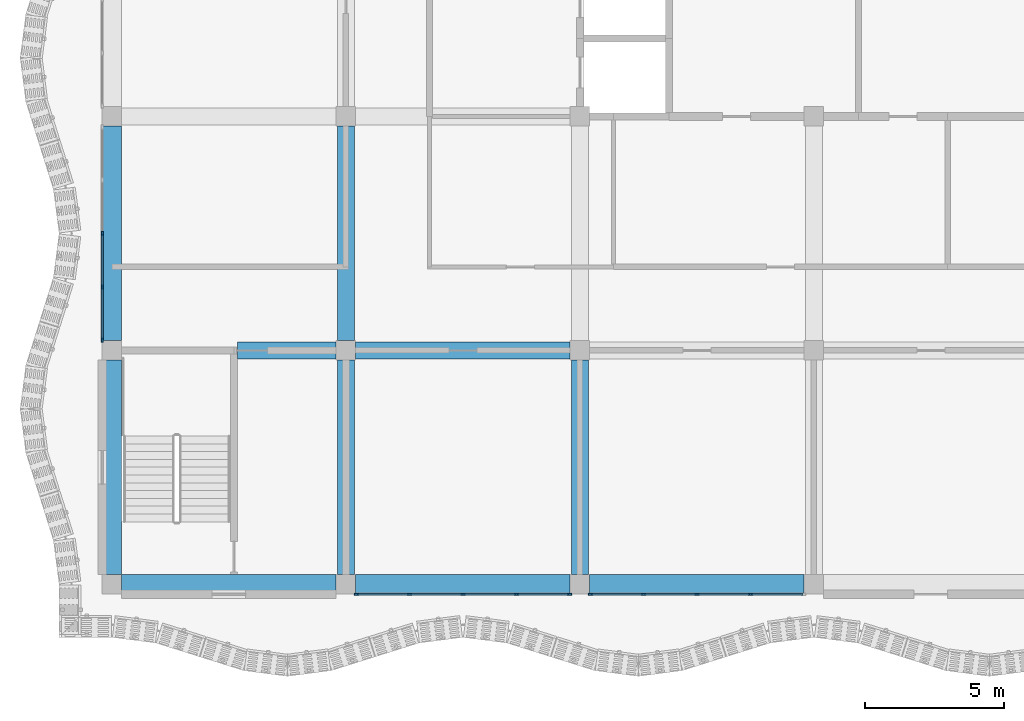
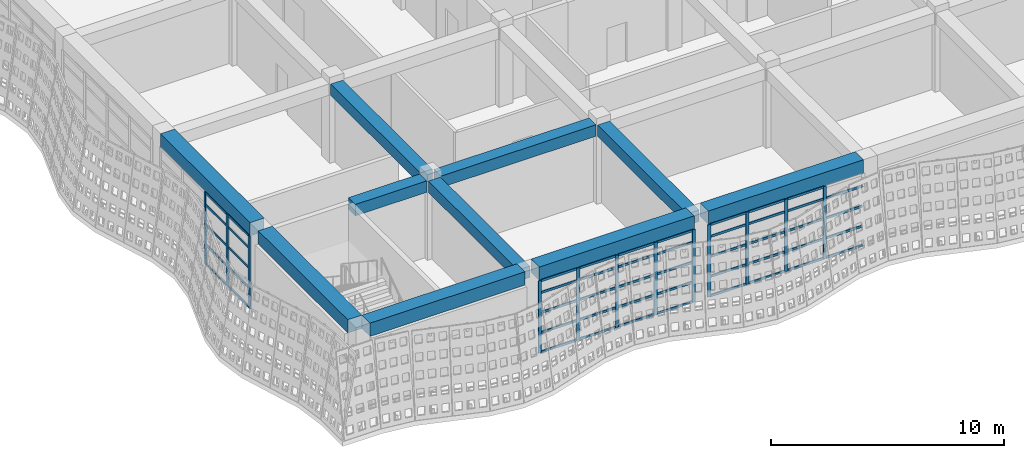
# One storey, part 16 of 162: 61 members, 10 beams, 3 elements without a shape of their own.
"""IFC4 building model written with IfcOpenShell, lengths in metres."""

from ifc_helpers import new_model, si_unit, direction, frame, origin, origin_2d, place, context, subcontext, project, spatial, rectangle, extrude, material, material_profile, profile_set, type_object, element, aggregate, save


model = new_model("IFC4")

# Units and contexts
model_context = context("Model", 3, precision=1e-05, world=origin(), true_north=direction((0.0, 1.0)))
body_context = subcontext(model_context, "Body", "Model", "MODEL_VIEW")
ifc_project = project(units=[si_unit("LENGTHUNIT", "METRE"), si_unit("AREAUNIT", "SQUARE_METRE"), si_unit("VOLUMEUNIT", "CUBIC_METRE"), si_unit("PLANEANGLEUNIT", "RADIAN"), si_unit("MASSUNIT", "GRAM", prefix="KILO")], contexts=[model_context])

# Site, building, storey
site_placement = place(None, origin())
site = spatial("IfcSite", under=ifc_project, at=site_placement, CompositionType="ELEMENT")
building_placement = place(site_placement, origin())
building = spatial("IfcBuilding", under=site, at=building_placement, Name="Rain Tree Exposition and Congress Centre", CompositionType="ELEMENT")
storey_placement = place(building_placement, frame((0.0, 0.0, 6.0)))
storey = spatial("IfcBuildingStorey", under=building, at=storey_placement, Name="L01", CompositionType="ELEMENT", Elevation=6.0)

# Beams
ifc_material_1 = material(Name="Precast concrete C50/60", Category="concrete")
ifc_material_profile_1 = material_profile(ifc_material_1, rectangle(XDim=0.60009765625, YDim=0.60009765625, at=origin_2d()), Name="RC 600x600")
ifc_profile_set_1 = profile_set([ifc_material_profile_1], Name="Precast concrete C50/60")
beam_type_1 = type_object("IfcBeamType", Name="Precast beam 600x600", PredefinedType="BEAM", material=ifc_profile_set_1)
beam_1_placement = place(storey_placement, frame((4.5, 8.39990234375, 3.85009765625), z_axis=(1.0, 0.0, 0.0), x_axis=(0.0, 1.0, 0.0)))
element("IfcBeam", 1, at=beam_1_placement, inside=storey, type_object=beam_type_1, Name="wing/beam/L01/L02/013", PredefinedType="BEAM", context=body_context, shape_type="SweptSolid", body=[
    extrude(rectangle(XDim=0.60009765625, YDim=0.60009765625, at=origin_2d()), origin(), (0.0, 0.0, 1.0), 3.550048828125),
])
for number, where, z_axis, x_axis, name in (
    (2, (8.39990234375, 0.35009765625, 3.85009765625), (0.0, 1.0, 0.0), (-1.0, 0.0, 0.0), "wing/beam/L01/L02/014"),
    (3, (8.75, 8.39990234375, 3.85009765625), (1.0, 0.0, 0.0), (0.0, 1.0, 0.0), "wing/beam/L01/L02/015"),
    (4, (8.39990234375, 8.75, 3.85009765625), (0.0, 1.0, 0.0), (-1.0, 0.0, 0.0), "wing/beam/L01/L02/016"),
    (5, (16.800048828125, 0.35009765625, 3.85009765625), (0.0, 1.0, 0.0), (-1.0, 0.0, 0.0), "wing/beam/L01/L02/026"),
):
    element("IfcBeam", number, at=place(storey_placement, frame(where, z_axis=z_axis, x_axis=x_axis)), inside=storey, type_object=beam_type_1, Name=name, PredefinedType="BEAM", context=body_context, shape_type="SweptSolid", body=[
        extrude(rectangle(XDim=0.60009765625, YDim=0.60009765625, at=origin_2d()), origin(), (0.0, 0.0, 1.0), 7.699951171875),
    ])
ifc_material_2 = material(Name="Precast concrete C50/60", Category="concrete")
ifc_material_profile_2 = material_profile(ifc_material_2, rectangle(XDim=0.699951171875, YDim=0.699951171875, at=origin_2d()), Name="RC 700x700")
ifc_profile_set_2 = profile_set([ifc_material_profile_2], Name="Precast concrete C50/60")
beam_type_2 = type_object("IfcBeamType", Name="Precast spandrel beam 700x700", PredefinedType="SPANDREL", material=ifc_profile_set_2)
for number, where, z_axis, x_axis, name in (
    (6, (0.35009765625, 0.0, 4.14990234375), (1.0, 0.0, 0.0), (0.0, 1.0, 0.0), "wing/beam/L01/L02/001"),
    (7, (0.0, 0.35009765625, 4.14990234375), (0.0, 1.0, 0.0), (-1.0, 0.0, 0.0), "wing/beam/L01/L02/002"),
    (8, (8.75, 0.0, 4.14990234375), (1.0, 0.0, 0.0), (0.0, 1.0, 0.0), "wing/beam/L01/L02/003"),
    (9, (0.0, 8.75, 4.14990234375), (0.0, 1.0, 0.0), (-1.0, 0.0, 0.0), "wing/beam/L01/L02/004"),
):
    element("IfcBeam", number, at=place(storey_placement, frame(where, z_axis=z_axis, x_axis=x_axis)), inside=storey, type_object=beam_type_2, Name=name, PredefinedType="SPANDREL", context=body_context, shape_type="SweptSolid", body=[
        extrude(rectangle(XDim=0.699951171875, YDim=0.699951171875, at=origin_2d()), origin(), (0.0, 0.0, 1.0), 7.699951171875),
    ])
beam_2_placement = place(storey_placement, frame((17.14990234375, 0.0, 4.14990234375), z_axis=(1.0, 0.0, 0.0), x_axis=(0.0, 1.0, 0.0)))
element("IfcBeam", 10, at=beam_2_placement, inside=storey, type_object=beam_type_2, Name="wing/beam/L01/L02/005", PredefinedType="SPANDREL", context=body_context, shape_type="SweptSolid", body=[
    extrude(rectangle(XDim=0.699951171875, YDim=0.699951171875, at=origin_2d()), origin(), (0.0, 0.0, 1.0), 7.7001953125),
])

# Curtain wall, members
ifc_material_3 = material(Name="Aluminium curtain wall", Category="aluminium")
curtain_wall_type = type_object("IfcCurtainWallType", Name="Wing curtain wall 1925", PredefinedType="NOTDEFINED", material=ifc_material_3)
curtain_wall_1_placement = place(storey_placement, origin())
curtain_wall_1 = element("IfcCurtainWall", 11, at=curtain_wall_1_placement, inside=storey, type_object=curtain_wall_type, Name="Curtain wall CWW201", PredefinedType="NOTDEFINED")
ifc_material_4 = material(Name="Aluminium", Category="aluminium")
ifc_material_profile_3 = material_profile(ifc_material_4, rectangle(XDim=0.06005859375, YDim=0.159912109375, at=origin_2d()), Name="Aluminium 60x160")
ifc_profile_set_3 = profile_set([ifc_material_profile_3], Name="Aluminium")
member_type_1 = type_object("IfcMemberType", Name="Wing mullion 60x160", PredefinedType="MULLION", material=ifc_profile_set_3)
member_1_placement = place(storey_placement, frame((8.780029296875, -0.35009765625, 0.0), z_axis=(0.0, 0.0, 1.0), x_axis=(0.0, 1.0, 0.0)))
member_1 = element("IfcMember", 12, at=member_1_placement, type_object=member_type_1, Name="CWW201 mullion 1", PredefinedType="MULLION", context=body_context, shape_type="SweptSolid", body=[
    extrude(rectangle(XDim=0.06005859375, YDim=0.159912109375, at=origin_2d()), origin(), (0.0, 0.0, 1.0), 3.800048828125),
])
member_2_placement = place(storey_placement, frame((10.675048828125, -0.35009765625, 0.0), z_axis=(0.0, 0.0, 1.0), x_axis=(0.0, 1.0, 0.0)))
member_2 = element("IfcMember", 13, at=member_2_placement, type_object=member_type_1, Name="CWW201 mullion 2", PredefinedType="MULLION", context=body_context, shape_type="SweptSolid", body=[
    extrude(rectangle(XDim=0.06005859375, YDim=0.159912109375, at=origin_2d()), origin(), (0.0, 0.0, 1.0), 3.800048828125),
])
member_3_placement = place(storey_placement, frame((12.60009765625, -0.35009765625, 0.0), z_axis=(0.0, 0.0, 1.0), x_axis=(0.0, 1.0, 0.0)))
member_3 = element("IfcMember", 14, at=member_3_placement, type_object=member_type_1, Name="CWW201 mullion 3", PredefinedType="MULLION", context=body_context, shape_type="SweptSolid", body=[
    extrude(rectangle(XDim=0.06005859375, YDim=0.159912109375, at=origin_2d()), origin(), (0.0, 0.0, 1.0), 3.800048828125),
])
member_4_placement = place(storey_placement, frame((14.52490234375, -0.35009765625, 0.0), z_axis=(0.0, 0.0, 1.0), x_axis=(0.0, 1.0, 0.0)))
member_4 = element("IfcMember", 15, at=member_4_placement, type_object=member_type_1, Name="CWW201 mullion 4", PredefinedType="MULLION", context=body_context, shape_type="SweptSolid", body=[
    extrude(rectangle(XDim=0.06005859375, YDim=0.159912109375, at=origin_2d()), origin(), (0.0, 0.0, 1.0), 3.800048828125),
])
member_5_placement = place(storey_placement, frame((16.419921875, -0.35009765625, 0.0), z_axis=(0.0, 0.0, 1.0), x_axis=(0.0, 1.0, 0.0)))
member_5 = element("IfcMember", 16, at=member_5_placement, type_object=member_type_1, Name="CWW201 mullion 5", PredefinedType="MULLION", context=body_context, shape_type="SweptSolid", body=[
    extrude(rectangle(XDim=0.06005859375, YDim=0.159912109375, at=origin_2d()), origin(), (0.0, 0.0, 1.0), 3.800048828125),
])

curtain_wall_2_placement = place(storey_placement, origin())
curtain_wall_2 = element("IfcCurtainWall", 17, at=curtain_wall_2_placement, inside=storey, type_object=curtain_wall_type, Name="Curtain wall CWW202", PredefinedType="NOTDEFINED")
member_6_placement = place(storey_placement, frame((17.179931640625, -0.35009765625, 0.0), z_axis=(0.0, 0.0, 1.0), x_axis=(0.0, 1.0, 0.0)))
member_6 = element("IfcMember", 18, at=member_6_placement, type_object=member_type_1, Name="CWW202 mullion 1", PredefinedType="MULLION", context=body_context, shape_type="SweptSolid", body=[
    extrude(rectangle(XDim=0.06005859375, YDim=0.159912109375, at=origin_2d()), origin(), (0.0, 0.0, 1.0), 3.800048828125),
])
member_7_placement = place(storey_placement, frame((19.074951171875, -0.35009765625, 0.0), z_axis=(0.0, 0.0, 1.0), x_axis=(0.0, 1.0, 0.0)))
member_7 = element("IfcMember", 19, at=member_7_placement, type_object=member_type_1, Name="CWW202 mullion 2", PredefinedType="MULLION", context=body_context, shape_type="SweptSolid", body=[
    extrude(rectangle(XDim=0.06005859375, YDim=0.159912109375, at=origin_2d()), origin(), (0.0, 0.0, 1.0), 3.800048828125),
])
member_8_placement = place(storey_placement, frame((21.0, -0.35009765625, 0.0), z_axis=(0.0, 0.0, 1.0), x_axis=(0.0, 1.0, 0.0)))
member_8 = element("IfcMember", 20, at=member_8_placement, type_object=member_type_1, Name="CWW202 mullion 3", PredefinedType="MULLION", context=body_context, shape_type="SweptSolid", body=[
    extrude(rectangle(XDim=0.06005859375, YDim=0.159912109375, at=origin_2d()), origin(), (0.0, 0.0, 1.0), 3.800048828125),
])
member_9_placement = place(storey_placement, frame((22.925048828125, -0.35009765625, 0.0), z_axis=(0.0, 0.0, 1.0), x_axis=(0.0, 1.0, 0.0)))
member_9 = element("IfcMember", 21, at=member_9_placement, type_object=member_type_1, Name="CWW202 mullion 4", PredefinedType="MULLION", context=body_context, shape_type="SweptSolid", body=[
    extrude(rectangle(XDim=0.06005859375, YDim=0.159912109375, at=origin_2d()), origin(), (0.0, 0.0, 1.0), 3.800048828125),
])

curtain_wall_3_placement = place(storey_placement, origin())
curtain_wall_3 = element("IfcCurtainWall", 22, at=curtain_wall_3_placement, inside=storey, type_object=curtain_wall_type, Name="Curtain wall CWW208", PredefinedType="NOTDEFINED")
member_10_placement = place(storey_placement, frame((-0.35009765625, 8.780029296875, 0.0), z_axis=(0.0, 0.0, 1.0), x_axis=(-1.0, 0.0, 0.0)))
member_10 = element("IfcMember", 23, at=member_10_placement, type_object=member_type_1, Name="CWW208 mullion 1", PredefinedType="MULLION", context=body_context, shape_type="SweptSolid", body=[
    extrude(rectangle(XDim=0.06005859375, YDim=0.159912109375, at=origin_2d()), origin(), (0.0, 0.0, 1.0), 3.800048828125),
])
member_11_placement = place(storey_placement, frame((-0.35009765625, 10.675048828125, 0.0), z_axis=(0.0, 0.0, 1.0), x_axis=(-1.0, 0.0, 0.0)))
member_11 = element("IfcMember", 24, at=member_11_placement, type_object=member_type_1, Name="CWW208 mullion 2", PredefinedType="MULLION", context=body_context, shape_type="SweptSolid", body=[
    extrude(rectangle(XDim=0.06005859375, YDim=0.159912109375, at=origin_2d()), origin(), (0.0, 0.0, 1.0), 3.800048828125),
])
member_12_placement = place(storey_placement, frame((-0.35009765625, 12.60009765625, 0.0), z_axis=(0.0, 0.0, 1.0), x_axis=(-1.0, 0.0, 0.0)))
member_12 = element("IfcMember", 25, at=member_12_placement, type_object=member_type_1, Name="CWW208 mullion 3", PredefinedType="MULLION", context=body_context, shape_type="SweptSolid", body=[
    extrude(rectangle(XDim=0.06005859375, YDim=0.159912109375, at=origin_2d()), origin(), (0.0, 0.0, 1.0), 3.800048828125),
])

# Member
ifc_material_5 = material(Name="Aluminium", Category="aluminium")
ifc_material_profile_4 = material_profile(ifc_material_5, rectangle(XDim=0.06005859375, YDim=0.1201171875, at=origin_2d()), Name="Aluminium 60x120")
ifc_profile_set_4 = profile_set([ifc_material_profile_4], Name="Aluminium")
member_type_2 = type_object("IfcMemberType", Name="Wing transom 60x120", PredefinedType="USERDEFINED", material=ifc_profile_set_4)
member_13_placement = place(storey_placement, frame((8.81005859375, -0.35009765625, 0.030029296875), z_axis=(1.0, 0.0, 0.0), x_axis=(0.0, 1.0, 0.0)))
member_13 = element("IfcMember", 26, at=member_13_placement, type_object=member_type_2, Name="CWW201 transom 1.1", ObjectType="TRANSOM", PredefinedType="USERDEFINED", context=body_context, shape_type="SweptSolid", body=[
    extrude(rectangle(XDim=0.06005859375, YDim=0.1201171875, at=origin_2d()), origin(), (0.0, 0.0, 1.0), 1.8349609375),
])

member_14_placement = place(storey_placement, frame((8.81005859375, -0.35009765625, 1.050048828125), z_axis=(1.0, 0.0, 0.0), x_axis=(0.0, 1.0, 0.0)))
member_14 = element("IfcMember", 27, at=member_14_placement, type_object=member_type_2, Name="CWW201 transom 1.2", ObjectType="TRANSOM", PredefinedType="USERDEFINED", context=body_context, shape_type="SweptSolid", body=[
    extrude(rectangle(XDim=0.06005859375, YDim=0.1201171875, at=origin_2d()), origin(), (0.0, 0.0, 1.0), 1.8349609375),
])

member_15_placement = place(storey_placement, frame((8.81005859375, -0.35009765625, 2.10009765625), z_axis=(1.0, 0.0, 0.0), x_axis=(0.0, 1.0, 0.0)))
member_15 = element("IfcMember", 28, at=member_15_placement, type_object=member_type_2, Name="CWW201 transom 1.3", ObjectType="TRANSOM", PredefinedType="USERDEFINED", context=body_context, shape_type="SweptSolid", body=[
    extrude(rectangle(XDim=0.06005859375, YDim=0.1201171875, at=origin_2d()), origin(), (0.0, 0.0, 1.0), 1.8349609375),
])

member_16_placement = place(storey_placement, frame((8.81005859375, -0.35009765625, 3.14990234375), z_axis=(1.0, 0.0, 0.0), x_axis=(0.0, 1.0, 0.0)))
member_16 = element("IfcMember", 29, at=member_16_placement, type_object=member_type_2, Name="CWW201 transom 1.4", ObjectType="TRANSOM", PredefinedType="USERDEFINED", context=body_context, shape_type="SweptSolid", body=[
    extrude(rectangle(XDim=0.06005859375, YDim=0.1201171875, at=origin_2d()), origin(), (0.0, 0.0, 1.0), 1.8349609375),
])

member_17_placement = place(storey_placement, frame((8.81005859375, -0.35009765625, 3.77001953125), z_axis=(1.0, 0.0, 0.0), x_axis=(0.0, 1.0, 0.0)))
member_17 = element("IfcMember", 30, at=member_17_placement, type_object=member_type_2, Name="CWW201 transom 1.5", ObjectType="TRANSOM", PredefinedType="USERDEFINED", context=body_context, shape_type="SweptSolid", body=[
    extrude(rectangle(XDim=0.06005859375, YDim=0.1201171875, at=origin_2d()), origin(), (0.0, 0.0, 1.0), 1.8349609375),
])

member_18_placement = place(storey_placement, frame((10.705078125, -0.35009765625, 0.030029296875), z_axis=(1.0, 0.0, 0.0), x_axis=(0.0, 1.0, 0.0)))
member_18 = element("IfcMember", 31, at=member_18_placement, type_object=member_type_2, Name="CWW201 transom 2.1", ObjectType="TRANSOM", PredefinedType="USERDEFINED", context=body_context, shape_type="SweptSolid", body=[
    extrude(rectangle(XDim=0.06005859375, YDim=0.1201171875, at=origin_2d()), origin(), (0.0, 0.0, 1.0), 1.864990234375),
])

member_19_placement = place(storey_placement, frame((10.705078125, -0.35009765625, 1.050048828125), z_axis=(1.0, 0.0, 0.0), x_axis=(0.0, 1.0, 0.0)))
member_19 = element("IfcMember", 32, at=member_19_placement, type_object=member_type_2, Name="CWW201 transom 2.2", ObjectType="TRANSOM", PredefinedType="USERDEFINED", context=body_context, shape_type="SweptSolid", body=[
    extrude(rectangle(XDim=0.06005859375, YDim=0.1201171875, at=origin_2d()), origin(), (0.0, 0.0, 1.0), 1.864990234375),
])

member_20_placement = place(storey_placement, frame((10.705078125, -0.35009765625, 2.10009765625), z_axis=(1.0, 0.0, 0.0), x_axis=(0.0, 1.0, 0.0)))
member_20 = element("IfcMember", 33, at=member_20_placement, type_object=member_type_2, Name="CWW201 transom 2.3", ObjectType="TRANSOM", PredefinedType="USERDEFINED", context=body_context, shape_type="SweptSolid", body=[
    extrude(rectangle(XDim=0.06005859375, YDim=0.1201171875, at=origin_2d()), origin(), (0.0, 0.0, 1.0), 1.864990234375),
])

member_21_placement = place(storey_placement, frame((10.705078125, -0.35009765625, 3.14990234375), z_axis=(1.0, 0.0, 0.0), x_axis=(0.0, 1.0, 0.0)))
member_21 = element("IfcMember", 34, at=member_21_placement, type_object=member_type_2, Name="CWW201 transom 2.4", ObjectType="TRANSOM", PredefinedType="USERDEFINED", context=body_context, shape_type="SweptSolid", body=[
    extrude(rectangle(XDim=0.06005859375, YDim=0.1201171875, at=origin_2d()), origin(), (0.0, 0.0, 1.0), 1.864990234375),
])

member_22_placement = place(storey_placement, frame((10.705078125, -0.35009765625, 3.77001953125), z_axis=(1.0, 0.0, 0.0), x_axis=(0.0, 1.0, 0.0)))
member_22 = element("IfcMember", 35, at=member_22_placement, type_object=member_type_2, Name="CWW201 transom 2.5", ObjectType="TRANSOM", PredefinedType="USERDEFINED", context=body_context, shape_type="SweptSolid", body=[
    extrude(rectangle(XDim=0.06005859375, YDim=0.1201171875, at=origin_2d()), origin(), (0.0, 0.0, 1.0), 1.864990234375),
])

member_23_placement = place(storey_placement, frame((12.6298828125, -0.35009765625, 0.030029296875), z_axis=(1.0, 0.0, 0.0), x_axis=(0.0, 1.0, 0.0)))
member_23 = element("IfcMember", 36, at=member_23_placement, type_object=member_type_2, Name="CWW201 transom 3.1", ObjectType="TRANSOM", PredefinedType="USERDEFINED", context=body_context, shape_type="SweptSolid", body=[
    extrude(rectangle(XDim=0.06005859375, YDim=0.1201171875, at=origin_2d()), origin(), (0.0, 0.0, 1.0), 1.865234375),
])

member_24_placement = place(storey_placement, frame((12.6298828125, -0.35009765625, 1.050048828125), z_axis=(1.0, 0.0, 0.0), x_axis=(0.0, 1.0, 0.0)))
member_24 = element("IfcMember", 37, at=member_24_placement, type_object=member_type_2, Name="CWW201 transom 3.2", ObjectType="TRANSOM", PredefinedType="USERDEFINED", context=body_context, shape_type="SweptSolid", body=[
    extrude(rectangle(XDim=0.06005859375, YDim=0.1201171875, at=origin_2d()), origin(), (0.0, 0.0, 1.0), 1.865234375),
])

member_25_placement = place(storey_placement, frame((12.6298828125, -0.35009765625, 2.10009765625), z_axis=(1.0, 0.0, 0.0), x_axis=(0.0, 1.0, 0.0)))
member_25 = element("IfcMember", 38, at=member_25_placement, type_object=member_type_2, Name="CWW201 transom 3.3", ObjectType="TRANSOM", PredefinedType="USERDEFINED", context=body_context, shape_type="SweptSolid", body=[
    extrude(rectangle(XDim=0.06005859375, YDim=0.1201171875, at=origin_2d()), origin(), (0.0, 0.0, 1.0), 1.865234375),
])

member_26_placement = place(storey_placement, frame((12.6298828125, -0.35009765625, 3.14990234375), z_axis=(1.0, 0.0, 0.0), x_axis=(0.0, 1.0, 0.0)))
member_26 = element("IfcMember", 39, at=member_26_placement, type_object=member_type_2, Name="CWW201 transom 3.4", ObjectType="TRANSOM", PredefinedType="USERDEFINED", context=body_context, shape_type="SweptSolid", body=[
    extrude(rectangle(XDim=0.06005859375, YDim=0.1201171875, at=origin_2d()), origin(), (0.0, 0.0, 1.0), 1.865234375),
])

member_27_placement = place(storey_placement, frame((12.6298828125, -0.35009765625, 3.77001953125), z_axis=(1.0, 0.0, 0.0), x_axis=(0.0, 1.0, 0.0)))
member_27 = element("IfcMember", 40, at=member_27_placement, type_object=member_type_2, Name="CWW201 transom 3.5", ObjectType="TRANSOM", PredefinedType="USERDEFINED", context=body_context, shape_type="SweptSolid", body=[
    extrude(rectangle(XDim=0.06005859375, YDim=0.1201171875, at=origin_2d()), origin(), (0.0, 0.0, 1.0), 1.865234375),
])

member_28_placement = place(storey_placement, frame((14.554931640625, -0.35009765625, 0.030029296875), z_axis=(1.0, 0.0, 0.0), x_axis=(0.0, 1.0, 0.0)))
member_28 = element("IfcMember", 41, at=member_28_placement, type_object=member_type_2, Name="CWW201 transom 4.1", ObjectType="TRANSOM", PredefinedType="USERDEFINED", context=body_context, shape_type="SweptSolid", body=[
    extrude(rectangle(XDim=0.06005859375, YDim=0.1201171875, at=origin_2d()), origin(), (0.0, 0.0, 1.0), 1.8349609375),
])

member_29_placement = place(storey_placement, frame((14.554931640625, -0.35009765625, 1.050048828125), z_axis=(1.0, 0.0, 0.0), x_axis=(0.0, 1.0, 0.0)))
member_29 = element("IfcMember", 42, at=member_29_placement, type_object=member_type_2, Name="CWW201 transom 4.2", ObjectType="TRANSOM", PredefinedType="USERDEFINED", context=body_context, shape_type="SweptSolid", body=[
    extrude(rectangle(XDim=0.06005859375, YDim=0.1201171875, at=origin_2d()), origin(), (0.0, 0.0, 1.0), 1.8349609375),
])

member_30_placement = place(storey_placement, frame((14.554931640625, -0.35009765625, 2.10009765625), z_axis=(1.0, 0.0, 0.0), x_axis=(0.0, 1.0, 0.0)))
member_30 = element("IfcMember", 43, at=member_30_placement, type_object=member_type_2, Name="CWW201 transom 4.3", ObjectType="TRANSOM", PredefinedType="USERDEFINED", context=body_context, shape_type="SweptSolid", body=[
    extrude(rectangle(XDim=0.06005859375, YDim=0.1201171875, at=origin_2d()), origin(), (0.0, 0.0, 1.0), 1.8349609375),
])

member_31_placement = place(storey_placement, frame((14.554931640625, -0.35009765625, 3.14990234375), z_axis=(1.0, 0.0, 0.0), x_axis=(0.0, 1.0, 0.0)))
member_31 = element("IfcMember", 44, at=member_31_placement, type_object=member_type_2, Name="CWW201 transom 4.4", ObjectType="TRANSOM", PredefinedType="USERDEFINED", context=body_context, shape_type="SweptSolid", body=[
    extrude(rectangle(XDim=0.06005859375, YDim=0.1201171875, at=origin_2d()), origin(), (0.0, 0.0, 1.0), 1.8349609375),
])

member_32_placement = place(storey_placement, frame((14.554931640625, -0.35009765625, 3.77001953125), z_axis=(1.0, 0.0, 0.0), x_axis=(0.0, 1.0, 0.0)))
member_32 = element("IfcMember", 45, at=member_32_placement, type_object=member_type_2, Name="CWW201 transom 4.5", ObjectType="TRANSOM", PredefinedType="USERDEFINED", context=body_context, shape_type="SweptSolid", body=[
    extrude(rectangle(XDim=0.06005859375, YDim=0.1201171875, at=origin_2d()), origin(), (0.0, 0.0, 1.0), 1.8349609375),
])

aggregate(curtain_wall_1, [member_1, member_2, member_3, member_4, member_5, member_13, member_14, member_15, member_16, member_17, member_18, member_19, member_20, member_21, member_22, member_23, member_24, member_25, member_26, member_27, member_28, member_29, member_30, member_31, member_32])

member_33_placement = place(storey_placement, frame((17.2099609375, -0.35009765625, 0.030029296875), z_axis=(1.0, 0.0, 0.0), x_axis=(0.0, 1.0, 0.0)))
member_33 = element("IfcMember", 46, at=member_33_placement, type_object=member_type_2, Name="CWW202 transom 1.1", ObjectType="TRANSOM", PredefinedType="USERDEFINED", context=body_context, shape_type="SweptSolid", body=[
    extrude(rectangle(XDim=0.06005859375, YDim=0.1201171875, at=origin_2d()), origin(), (0.0, 0.0, 1.0), 1.8349609375),
])

member_34_placement = place(storey_placement, frame((17.2099609375, -0.35009765625, 1.050048828125), z_axis=(1.0, 0.0, 0.0), x_axis=(0.0, 1.0, 0.0)))
member_34 = element("IfcMember", 47, at=member_34_placement, type_object=member_type_2, Name="CWW202 transom 1.2", ObjectType="TRANSOM", PredefinedType="USERDEFINED", context=body_context, shape_type="SweptSolid", body=[
    extrude(rectangle(XDim=0.06005859375, YDim=0.1201171875, at=origin_2d()), origin(), (0.0, 0.0, 1.0), 1.8349609375),
])

member_35_placement = place(storey_placement, frame((17.2099609375, -0.35009765625, 2.10009765625), z_axis=(1.0, 0.0, 0.0), x_axis=(0.0, 1.0, 0.0)))
member_35 = element("IfcMember", 48, at=member_35_placement, type_object=member_type_2, Name="CWW202 transom 1.3", ObjectType="TRANSOM", PredefinedType="USERDEFINED", context=body_context, shape_type="SweptSolid", body=[
    extrude(rectangle(XDim=0.06005859375, YDim=0.1201171875, at=origin_2d()), origin(), (0.0, 0.0, 1.0), 1.8349609375),
])

member_36_placement = place(storey_placement, frame((17.2099609375, -0.35009765625, 3.14990234375), z_axis=(1.0, 0.0, 0.0), x_axis=(0.0, 1.0, 0.0)))
member_36 = element("IfcMember", 49, at=member_36_placement, type_object=member_type_2, Name="CWW202 transom 1.4", ObjectType="TRANSOM", PredefinedType="USERDEFINED", context=body_context, shape_type="SweptSolid", body=[
    extrude(rectangle(XDim=0.06005859375, YDim=0.1201171875, at=origin_2d()), origin(), (0.0, 0.0, 1.0), 1.8349609375),
])

member_37_placement = place(storey_placement, frame((17.2099609375, -0.35009765625, 3.77001953125), z_axis=(1.0, 0.0, 0.0), x_axis=(0.0, 1.0, 0.0)))
member_37 = element("IfcMember", 50, at=member_37_placement, type_object=member_type_2, Name="CWW202 transom 1.5", ObjectType="TRANSOM", PredefinedType="USERDEFINED", context=body_context, shape_type="SweptSolid", body=[
    extrude(rectangle(XDim=0.06005859375, YDim=0.1201171875, at=origin_2d()), origin(), (0.0, 0.0, 1.0), 1.8349609375),
])

member_38_placement = place(storey_placement, frame((19.10498046875, -0.35009765625, 0.030029296875), z_axis=(1.0, 0.0, 0.0), x_axis=(0.0, 1.0, 0.0)))
member_38 = element("IfcMember", 51, at=member_38_placement, type_object=member_type_2, Name="CWW202 transom 2.1", ObjectType="TRANSOM", PredefinedType="USERDEFINED", context=body_context, shape_type="SweptSolid", body=[
    extrude(rectangle(XDim=0.06005859375, YDim=0.1201171875, at=origin_2d()), origin(), (0.0, 0.0, 1.0), 1.864990234375),
])

member_39_placement = place(storey_placement, frame((19.10498046875, -0.35009765625, 1.050048828125), z_axis=(1.0, 0.0, 0.0), x_axis=(0.0, 1.0, 0.0)))
member_39 = element("IfcMember", 52, at=member_39_placement, type_object=member_type_2, Name="CWW202 transom 2.2", ObjectType="TRANSOM", PredefinedType="USERDEFINED", context=body_context, shape_type="SweptSolid", body=[
    extrude(rectangle(XDim=0.06005859375, YDim=0.1201171875, at=origin_2d()), origin(), (0.0, 0.0, 1.0), 1.864990234375),
])

member_40_placement = place(storey_placement, frame((19.10498046875, -0.35009765625, 2.10009765625), z_axis=(1.0, 0.0, 0.0), x_axis=(0.0, 1.0, 0.0)))
member_40 = element("IfcMember", 53, at=member_40_placement, type_object=member_type_2, Name="CWW202 transom 2.3", ObjectType="TRANSOM", PredefinedType="USERDEFINED", context=body_context, shape_type="SweptSolid", body=[
    extrude(rectangle(XDim=0.06005859375, YDim=0.1201171875, at=origin_2d()), origin(), (0.0, 0.0, 1.0), 1.864990234375),
])

member_41_placement = place(storey_placement, frame((19.10498046875, -0.35009765625, 3.14990234375), z_axis=(1.0, 0.0, 0.0), x_axis=(0.0, 1.0, 0.0)))
member_41 = element("IfcMember", 54, at=member_41_placement, type_object=member_type_2, Name="CWW202 transom 2.4", ObjectType="TRANSOM", PredefinedType="USERDEFINED", context=body_context, shape_type="SweptSolid", body=[
    extrude(rectangle(XDim=0.06005859375, YDim=0.1201171875, at=origin_2d()), origin(), (0.0, 0.0, 1.0), 1.864990234375),
])

member_42_placement = place(storey_placement, frame((19.10498046875, -0.35009765625, 3.77001953125), z_axis=(1.0, 0.0, 0.0), x_axis=(0.0, 1.0, 0.0)))
member_42 = element("IfcMember", 55, at=member_42_placement, type_object=member_type_2, Name="CWW202 transom 2.5", ObjectType="TRANSOM", PredefinedType="USERDEFINED", context=body_context, shape_type="SweptSolid", body=[
    extrude(rectangle(XDim=0.06005859375, YDim=0.1201171875, at=origin_2d()), origin(), (0.0, 0.0, 1.0), 1.864990234375),
])

member_43_placement = place(storey_placement, frame((21.030029296875, -0.35009765625, 0.030029296875), z_axis=(1.0, 0.0, 0.0), x_axis=(0.0, 1.0, 0.0)))
member_43 = element("IfcMember", 56, at=member_43_placement, type_object=member_type_2, Name="CWW202 transom 3.1", ObjectType="TRANSOM", PredefinedType="USERDEFINED", context=body_context, shape_type="SweptSolid", body=[
    extrude(rectangle(XDim=0.06005859375, YDim=0.1201171875, at=origin_2d()), origin(), (0.0, 0.0, 1.0), 1.864990234375),
])

member_44_placement = place(storey_placement, frame((21.030029296875, -0.35009765625, 1.050048828125), z_axis=(1.0, 0.0, 0.0), x_axis=(0.0, 1.0, 0.0)))
member_44 = element("IfcMember", 57, at=member_44_placement, type_object=member_type_2, Name="CWW202 transom 3.2", ObjectType="TRANSOM", PredefinedType="USERDEFINED", context=body_context, shape_type="SweptSolid", body=[
    extrude(rectangle(XDim=0.06005859375, YDim=0.1201171875, at=origin_2d()), origin(), (0.0, 0.0, 1.0), 1.864990234375),
])

member_45_placement = place(storey_placement, frame((21.030029296875, -0.35009765625, 2.10009765625), z_axis=(1.0, 0.0, 0.0), x_axis=(0.0, 1.0, 0.0)))
member_45 = element("IfcMember", 58, at=member_45_placement, type_object=member_type_2, Name="CWW202 transom 3.3", ObjectType="TRANSOM", PredefinedType="USERDEFINED", context=body_context, shape_type="SweptSolid", body=[
    extrude(rectangle(XDim=0.06005859375, YDim=0.1201171875, at=origin_2d()), origin(), (0.0, 0.0, 1.0), 1.864990234375),
])

member_46_placement = place(storey_placement, frame((21.030029296875, -0.35009765625, 3.14990234375), z_axis=(1.0, 0.0, 0.0), x_axis=(0.0, 1.0, 0.0)))
member_46 = element("IfcMember", 59, at=member_46_placement, type_object=member_type_2, Name="CWW202 transom 3.4", ObjectType="TRANSOM", PredefinedType="USERDEFINED", context=body_context, shape_type="SweptSolid", body=[
    extrude(rectangle(XDim=0.06005859375, YDim=0.1201171875, at=origin_2d()), origin(), (0.0, 0.0, 1.0), 1.864990234375),
])

member_47_placement = place(storey_placement, frame((21.030029296875, -0.35009765625, 3.77001953125), z_axis=(1.0, 0.0, 0.0), x_axis=(0.0, 1.0, 0.0)))
member_47 = element("IfcMember", 60, at=member_47_placement, type_object=member_type_2, Name="CWW202 transom 3.5", ObjectType="TRANSOM", PredefinedType="USERDEFINED", context=body_context, shape_type="SweptSolid", body=[
    extrude(rectangle(XDim=0.06005859375, YDim=0.1201171875, at=origin_2d()), origin(), (0.0, 0.0, 1.0), 1.864990234375),
])

member_48_placement = place(storey_placement, frame((22.955078125, -0.35009765625, 0.030029296875), z_axis=(1.0, 0.0, 0.0), x_axis=(0.0, 1.0, 0.0)))
member_48 = element("IfcMember", 61, at=member_48_placement, type_object=member_type_2, Name="CWW202 transom 4.1", ObjectType="TRANSOM", PredefinedType="USERDEFINED", context=body_context, shape_type="SweptSolid", body=[
    extrude(rectangle(XDim=0.06005859375, YDim=0.1201171875, at=origin_2d()), origin(), (0.0, 0.0, 1.0), 1.8349609375),
])

member_49_placement = place(storey_placement, frame((22.955078125, -0.35009765625, 1.050048828125), z_axis=(1.0, 0.0, 0.0), x_axis=(0.0, 1.0, 0.0)))
member_49 = element("IfcMember", 62, at=member_49_placement, type_object=member_type_2, Name="CWW202 transom 4.2", ObjectType="TRANSOM", PredefinedType="USERDEFINED", context=body_context, shape_type="SweptSolid", body=[
    extrude(rectangle(XDim=0.06005859375, YDim=0.1201171875, at=origin_2d()), origin(), (0.0, 0.0, 1.0), 1.8349609375),
])

member_50_placement = place(storey_placement, frame((22.955078125, -0.35009765625, 2.10009765625), z_axis=(1.0, 0.0, 0.0), x_axis=(0.0, 1.0, 0.0)))
member_50 = element("IfcMember", 63, at=member_50_placement, type_object=member_type_2, Name="CWW202 transom 4.3", ObjectType="TRANSOM", PredefinedType="USERDEFINED", context=body_context, shape_type="SweptSolid", body=[
    extrude(rectangle(XDim=0.06005859375, YDim=0.1201171875, at=origin_2d()), origin(), (0.0, 0.0, 1.0), 1.8349609375),
])

member_51_placement = place(storey_placement, frame((22.955078125, -0.35009765625, 3.14990234375), z_axis=(1.0, 0.0, 0.0), x_axis=(0.0, 1.0, 0.0)))
member_51 = element("IfcMember", 64, at=member_51_placement, type_object=member_type_2, Name="CWW202 transom 4.4", ObjectType="TRANSOM", PredefinedType="USERDEFINED", context=body_context, shape_type="SweptSolid", body=[
    extrude(rectangle(XDim=0.06005859375, YDim=0.1201171875, at=origin_2d()), origin(), (0.0, 0.0, 1.0), 1.8349609375),
])

aggregate(curtain_wall_2, [member_6, member_7, member_8, member_9, member_33, member_34, member_35, member_36, member_37, member_38, member_39, member_40, member_41, member_42, member_43, member_44, member_45, member_46, member_47, member_48, member_49, member_50, member_51])

member_52_placement = place(storey_placement, frame((-0.35009765625, 8.81005859375, 0.030029296875), z_axis=(0.0, 1.0, 0.0), x_axis=(-1.0, 0.0, 0.0)))
member_52 = element("IfcMember", 65, at=member_52_placement, type_object=member_type_2, Name="CWW208 transom 1.1", ObjectType="TRANSOM", PredefinedType="USERDEFINED", context=body_context, shape_type="SweptSolid", body=[
    extrude(rectangle(XDim=0.06005859375, YDim=0.1201171875, at=origin_2d()), origin(), (0.0, 0.0, 1.0), 1.8349609375),
])

member_53_placement = place(storey_placement, frame((-0.35009765625, 8.81005859375, 1.050048828125), z_axis=(0.0, 1.0, 0.0), x_axis=(-1.0, 0.0, 0.0)))
member_53 = element("IfcMember", 66, at=member_53_placement, type_object=member_type_2, Name="CWW208 transom 1.2", ObjectType="TRANSOM", PredefinedType="USERDEFINED", context=body_context, shape_type="SweptSolid", body=[
    extrude(rectangle(XDim=0.06005859375, YDim=0.1201171875, at=origin_2d()), origin(), (0.0, 0.0, 1.0), 1.8349609375),
])

member_54_placement = place(storey_placement, frame((-0.35009765625, 8.81005859375, 2.10009765625), z_axis=(0.0, 1.0, 0.0), x_axis=(-1.0, 0.0, 0.0)))
member_54 = element("IfcMember", 67, at=member_54_placement, type_object=member_type_2, Name="CWW208 transom 1.3", ObjectType="TRANSOM", PredefinedType="USERDEFINED", context=body_context, shape_type="SweptSolid", body=[
    extrude(rectangle(XDim=0.06005859375, YDim=0.1201171875, at=origin_2d()), origin(), (0.0, 0.0, 1.0), 1.8349609375),
])

member_55_placement = place(storey_placement, frame((-0.35009765625, 8.81005859375, 3.14990234375), z_axis=(0.0, 1.0, 0.0), x_axis=(-1.0, 0.0, 0.0)))
member_55 = element("IfcMember", 68, at=member_55_placement, type_object=member_type_2, Name="CWW208 transom 1.4", ObjectType="TRANSOM", PredefinedType="USERDEFINED", context=body_context, shape_type="SweptSolid", body=[
    extrude(rectangle(XDim=0.06005859375, YDim=0.1201171875, at=origin_2d()), origin(), (0.0, 0.0, 1.0), 1.8349609375),
])

member_56_placement = place(storey_placement, frame((-0.35009765625, 8.81005859375, 3.77001953125), z_axis=(0.0, 1.0, 0.0), x_axis=(-1.0, 0.0, 0.0)))
member_56 = element("IfcMember", 69, at=member_56_placement, type_object=member_type_2, Name="CWW208 transom 1.5", ObjectType="TRANSOM", PredefinedType="USERDEFINED", context=body_context, shape_type="SweptSolid", body=[
    extrude(rectangle(XDim=0.06005859375, YDim=0.1201171875, at=origin_2d()), origin(), (0.0, 0.0, 1.0), 1.8349609375),
])

member_57_placement = place(storey_placement, frame((-0.35009765625, 10.705078125, 0.030029296875), z_axis=(0.0, 1.0, 0.0), x_axis=(-1.0, 0.0, 0.0)))
member_57 = element("IfcMember", 70, at=member_57_placement, type_object=member_type_2, Name="CWW208 transom 2.1", ObjectType="TRANSOM", PredefinedType="USERDEFINED", context=body_context, shape_type="SweptSolid", body=[
    extrude(rectangle(XDim=0.06005859375, YDim=0.1201171875, at=origin_2d()), origin(), (0.0, 0.0, 1.0), 1.864990234375),
])

member_58_placement = place(storey_placement, frame((-0.35009765625, 10.705078125, 1.050048828125), z_axis=(0.0, 1.0, 0.0), x_axis=(-1.0, 0.0, 0.0)))
member_58 = element("IfcMember", 71, at=member_58_placement, type_object=member_type_2, Name="CWW208 transom 2.2", ObjectType="TRANSOM", PredefinedType="USERDEFINED", context=body_context, shape_type="SweptSolid", body=[
    extrude(rectangle(XDim=0.06005859375, YDim=0.1201171875, at=origin_2d()), origin(), (0.0, 0.0, 1.0), 1.864990234375),
])

member_59_placement = place(storey_placement, frame((-0.35009765625, 10.705078125, 2.10009765625), z_axis=(0.0, 1.0, 0.0), x_axis=(-1.0, 0.0, 0.0)))
member_59 = element("IfcMember", 72, at=member_59_placement, type_object=member_type_2, Name="CWW208 transom 2.3", ObjectType="TRANSOM", PredefinedType="USERDEFINED", context=body_context, shape_type="SweptSolid", body=[
    extrude(rectangle(XDim=0.06005859375, YDim=0.1201171875, at=origin_2d()), origin(), (0.0, 0.0, 1.0), 1.864990234375),
])

member_60_placement = place(storey_placement, frame((-0.35009765625, 10.705078125, 3.14990234375), z_axis=(0.0, 1.0, 0.0), x_axis=(-1.0, 0.0, 0.0)))
member_60 = element("IfcMember", 73, at=member_60_placement, type_object=member_type_2, Name="CWW208 transom 2.4", ObjectType="TRANSOM", PredefinedType="USERDEFINED", context=body_context, shape_type="SweptSolid", body=[
    extrude(rectangle(XDim=0.06005859375, YDim=0.1201171875, at=origin_2d()), origin(), (0.0, 0.0, 1.0), 1.864990234375),
])

member_61_placement = place(storey_placement, frame((-0.35009765625, 10.705078125, 3.77001953125), z_axis=(0.0, 1.0, 0.0), x_axis=(-1.0, 0.0, 0.0)))
member_61 = element("IfcMember", 74, at=member_61_placement, type_object=member_type_2, Name="CWW208 transom 2.5", ObjectType="TRANSOM", PredefinedType="USERDEFINED", context=body_context, shape_type="SweptSolid", body=[
    extrude(rectangle(XDim=0.06005859375, YDim=0.1201171875, at=origin_2d()), origin(), (0.0, 0.0, 1.0), 1.864990234375),
])

aggregate(curtain_wall_3, [member_10, member_11, member_12, member_52, member_53, member_54, member_55, member_56, member_57, member_58, member_59, member_60, member_61])

save(model, "model.ifc")
